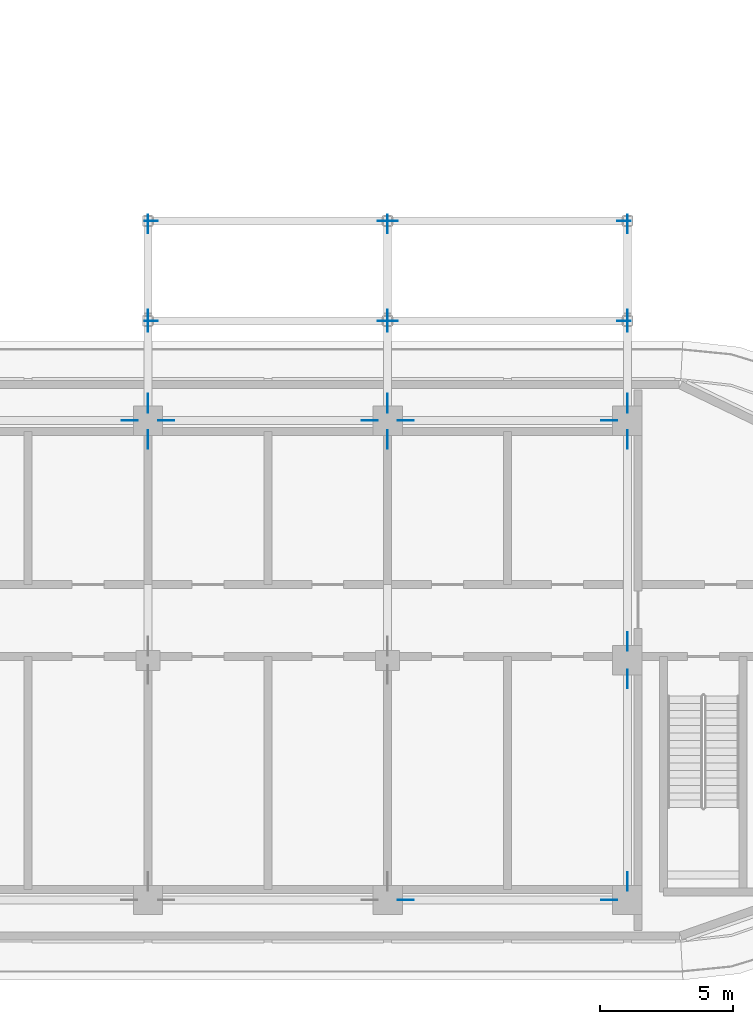
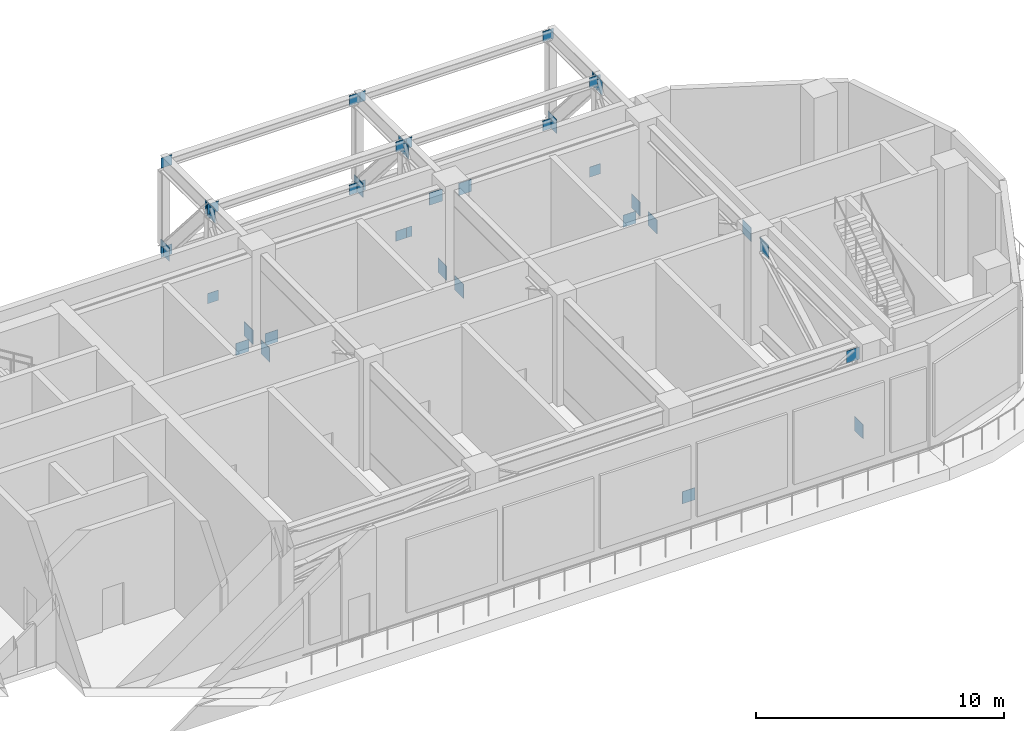
# One storey, part 11 of 18: 41 discrete accessories.
"""IFC4 building model written with IfcOpenShell, lengths in metres."""

from ifc_helpers import new_model, si_unit, direction, frame, origin, origin_2d, place, context, subcontext, project, spatial, rectangle, extrude, material, layer, layer_set, type_object, element, save


model = new_model("IFC4")

# Units and contexts
model_context = context("Model", 3, precision=1e-05, world=origin(), true_north=direction((0.0, 1.0)))
body_context = subcontext(model_context, "Body", "Model", "MODEL_VIEW")
ifc_project = project(units=[si_unit("LENGTHUNIT", "METRE"), si_unit("AREAUNIT", "SQUARE_METRE"), si_unit("VOLUMEUNIT", "CUBIC_METRE"), si_unit("PLANEANGLEUNIT", "RADIAN"), si_unit("MASSUNIT", "GRAM", prefix="KILO")], contexts=[model_context])

# Site, building, storey
site_placement = place(None, origin())
site = spatial("IfcSite", under=ifc_project, at=site_placement, CompositionType="ELEMENT")
building_placement = place(site_placement, origin())
building = spatial("IfcBuilding", under=site, at=building_placement, Name="Ogive Portal Towers", CompositionType="ELEMENT")
storey_placement = place(building_placement, frame((0.0, 0.0, 190.300048828125)))
storey = spatial("IfcBuildingStorey", under=building, at=storey_placement, Name="L47", CompositionType="ELEMENT", Elevation=190.300048828125)

# Discrete accessories
ifc_material = material(Name="Steel S355", Category="steel")
ifc_layer_1 = layer(ifc_material, 0.01611328125)
ifc_layer_set_1 = layer_set([ifc_layer_1], Name="GUSSET PLATE 500x500x16")
discrete_accessory_type_1 = type_object("IfcDiscreteAccessoryType", Name="GUSSET PLATE 500x500x16", PredefinedType="BRACKET", material=ifc_layer_set_1)
for number, where, z_axis, x_axis, name in (
    (1, (67.625, 43.25, 0.156982421875), (0.0, 0.0, 1.0), (1.0, 0.0, 0.0), "Gusset plate"),
    (2, (76.375, 43.25, 0.156982421875), (0.0, 0.0, 1.0), (1.0, 0.0, 0.0), "Gusset plate"),
    (3, (76.625, 43.25, 0.156982421875), (0.0, 0.0, 1.0), (1.0, 0.0, 0.0), "Gusset plate"),
    (4, (85.375, 43.25, 0.156982421875), (0.0, 0.0, 1.0), (1.0, 0.0, 0.0), "Gusset plate"),
    (5, (67.625, 43.25, 4.54296875), (0.0, 0.0, 1.0), (1.0, 0.0, 0.0), "Gusset plate"),
    (6, (76.375, 43.25, 4.54296875), (0.0, 0.0, 1.0), (1.0, 0.0, 0.0), "Gusset plate"),
    (7, (76.625, 43.25, 4.54296875), (0.0, 0.0, 1.0), (1.0, 0.0, 0.0), "Gusset plate"),
    (8, (85.375, 43.25, 4.54296875), (0.0, 0.0, 1.0), (1.0, 0.0, 0.0), "Gusset plate"),
    (9, (67.625, 47.0, 0.156982421875), (0.0, 0.0, 1.0), (1.0, 0.0, 0.0), "Gusset plate"),
    (10, (76.375, 47.0, 0.156982421875), (0.0, 0.0, 1.0), (1.0, 0.0, 0.0), "Gusset plate"),
    (11, (76.625, 47.0, 0.156982421875), (0.0, 0.0, 1.0), (1.0, 0.0, 0.0), "Gusset plate"),
    (12, (85.375, 47.0, 0.156982421875), (0.0, 0.0, 1.0), (1.0, 0.0, 0.0), "Gusset plate"),
    (13, (67.625, 47.0, 4.54296875), (0.0, 0.0, 1.0), (1.0, 0.0, 0.0), "Gusset plate"),
    (14, (76.375, 47.0, 4.54296875), (0.0, 0.0, 1.0), (1.0, 0.0, 0.0), "Gusset plate"),
    (15, (76.625, 47.0, 4.54296875), (0.0, 0.0, 1.0), (1.0, 0.0, 0.0), "Gusset plate"),
    (16, (85.375, 47.0, 4.54296875), (0.0, 0.0, 1.0), (1.0, 0.0, 0.0), "Gusset plate"),
):
    element("IfcDiscreteAccessory", number, at=place(storey_placement, frame(where, z_axis=z_axis, x_axis=x_axis)), inside=storey, type_object=discrete_accessory_type_1, Name=name, PredefinedType="BRACKET", context=body_context, shape_type="SweptSolid", body=[
        extrude(rectangle(XDim=0.5, YDim=0.01611328125, at=origin_2d()), origin(), (0.0, 0.0, 1.0), 0.5),
    ])
ifc_layer_2 = layer(ifc_material, 0.02001953125)
ifc_layer_set_2 = layer_set([ifc_layer_2], Name="GUSSET PLATE 600x600x20")
discrete_accessory_type_2 = type_object("IfcDiscreteAccessoryType", Name="GUSSET PLATE 600x600x20", PredefinedType="BRACKET", material=ifc_layer_set_2)
for number, where, z_axis, x_axis, name in (
    (17, (77.18115234375, 21.5, 0.1796875), (0.0, 0.0, 1.0), (1.0, 0.0, 0.0), "Gusset plate"),
    (18, (84.81884765625, 21.5, 4.420166015625), (0.0, 0.0, 1.0), (1.0, 0.0, 0.0), "Gusset plate"),
    (19, (84.81884765625, 39.5, 0.1796875), (0.0, 0.0, 1.0), (-1.0, 0.0, 0.0), "Gusset plate"),
    (20, (77.18115234375, 39.5, 4.420166015625), (0.0, 0.0, 1.0), (-1.0, 0.0, 0.0), "Gusset plate"),
    (21, (75.81884765625, 39.5, 4.420166015625), (0.0, 0.0, 1.0), (-1.0, 0.0, 0.0), "Gusset plate"),
    (22, (68.18115234375, 39.5, 0.1796875), (0.0, 0.0, 1.0), (-1.0, 0.0, 0.0), "Gusset plate"),
    (23, (66.8173828125, 39.5, 0.177001953125), (0.0, 0.0, 1.0), (-1.0, 0.0, 0.0), "Gusset plate"),
):
    element("IfcDiscreteAccessory", number, at=place(storey_placement, frame(where, z_axis=z_axis, x_axis=x_axis)), inside=storey, type_object=discrete_accessory_type_2, Name=name, PredefinedType="BRACKET", context=body_context, shape_type="SweptSolid", body=[
        extrude(rectangle(XDim=0.60009765625, YDim=0.02001953125, at=origin_2d()), origin(), (0.0, 0.0, 1.0), 0.60009765625),
    ])
ifc_layer_3 = layer(ifc_material, 0.02001953125)
ifc_layer_set_3 = layer_set([ifc_layer_3], Name="GUSSET PLATE 700x700x20")
discrete_accessory_type_3 = type_object("IfcDiscreteAccessoryType", Name="GUSSET PLATE 700x700x20", PredefinedType="BRACKET", material=ifc_layer_set_3)
for number, where, z_axis, x_axis, name in (
    (24, (67.5, 38.796142578125, 0.140625), (0.0, 0.0, 1.0), (0.0, 1.0, 0.0), "Gusset plate"),
    (25, (67.5, 40.154296875, 0.19775390625), (0.0, 0.0, 1.0), (0.0, 1.0, 0.0), "Gusset plate"),
    (26, (67.5, 43.19580078125, 4.30224609375), (0.0, 0.0, 1.0), (0.0, 1.0, 0.0), "Gusset plate"),
    (27, (67.5, 43.314697265625, 4.310546875), (0.0, 0.0, 1.0), (0.0, 1.0, 0.0), "Gusset plate"),
    (28, (67.5, 46.885498046875, 0.189453125), (0.0, 0.0, 1.0), (0.0, 1.0, 0.0), "Gusset plate"),
    (29, (76.5, 38.796142578125, 0.140625), (0.0, 0.0, 1.0), (0.0, 1.0, 0.0), "Gusset plate"),
    (30, (76.5, 40.154296875, 0.19775390625), (0.0, 0.0, 1.0), (0.0, 1.0, 0.0), "Gusset plate"),
    (31, (76.5, 43.19580078125, 4.30224609375), (0.0, 0.0, 1.0), (0.0, 1.0, 0.0), "Gusset plate"),
    (32, (76.5, 43.314697265625, 4.310546875), (0.0, 0.0, 1.0), (0.0, 1.0, 0.0), "Gusset plate"),
    (33, (76.5, 46.885498046875, 0.189453125), (0.0, 0.0, 1.0), (0.0, 1.0, 0.0), "Gusset plate"),
    (34, (85.5, 22.202880859375, 0.14208984375), (0.0, 0.0, 1.0), (0.0, 1.0, 0.0), "Gusset plate"),
    (35, (85.5, 29.797119140625, 4.35791015625), (0.0, 0.0, 1.0), (0.0, 1.0, 0.0), "Gusset plate"),
    (36, (85.5, 31.202880859375, 4.35791015625), (0.0, 0.0, 1.0), (0.0, 1.0, 0.0), "Gusset plate"),
    (37, (85.5, 38.797119140625, 0.14208984375), (0.0, 0.0, 1.0), (0.0, 1.0, 0.0), "Gusset plate"),
    (38, (85.5, 40.154296875, 0.19775390625), (0.0, 0.0, 1.0), (0.0, 1.0, 0.0), "Gusset plate"),
    (39, (85.5, 43.19580078125, 4.30224609375), (0.0, 0.0, 1.0), (0.0, 1.0, 0.0), "Gusset plate"),
    (40, (85.5, 43.314697265625, 4.310546875), (0.0, 0.0, 1.0), (0.0, 1.0, 0.0), "Gusset plate"),
    (41, (85.5, 46.885498046875, 0.189453125), (0.0, 0.0, 1.0), (0.0, 1.0, 0.0), "Gusset plate"),
):
    element("IfcDiscreteAccessory", number, at=place(storey_placement, frame(where, z_axis=z_axis, x_axis=x_axis)), inside=storey, type_object=discrete_accessory_type_3, Name=name, PredefinedType="BRACKET", context=body_context, shape_type="SweptSolid", body=[
        extrude(rectangle(XDim=0.699951171875, YDim=0.02001953125, at=origin_2d()), origin(), (0.0, 0.0, 1.0), 0.699951171875),
    ])

save(model, "model.ifc")
